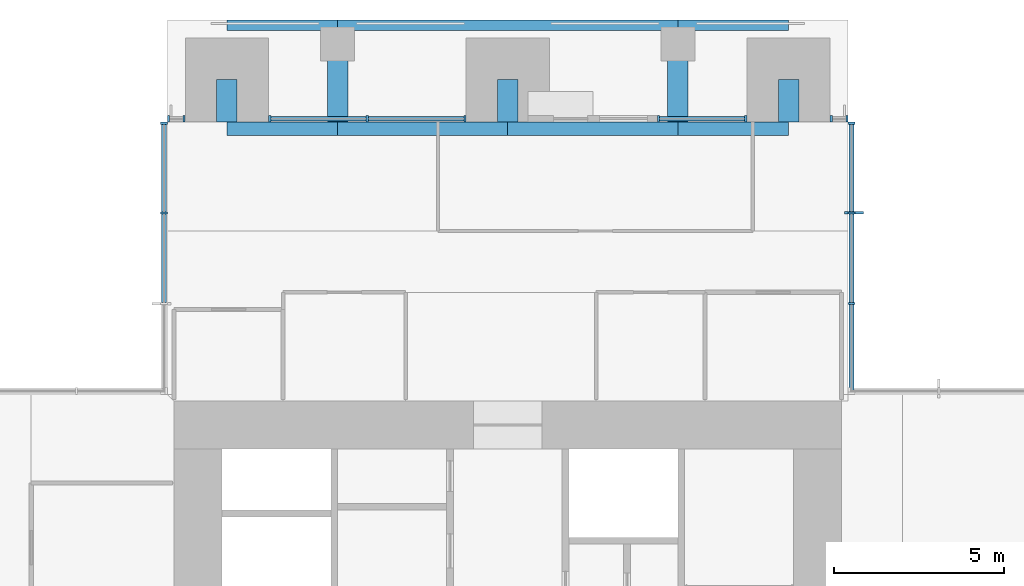
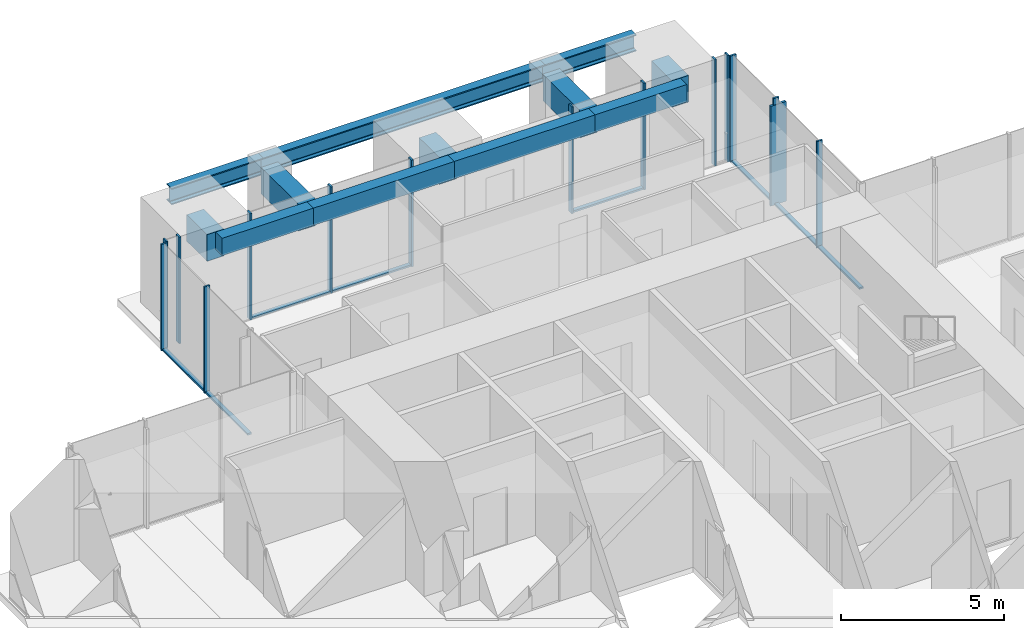
# One storey, part 5 of 17: 23 members, 12 beams, 6 elements without a shape of their own.
"""IFC4 building model written with IfcOpenShell, lengths in metres."""

import ifcopenshell
import ifcopenshell.guid

model = None  # the IFC model being written
_history = None  # IfcOwnerHistory: only IFC2X3 demands one
_inside = {}  # id of a spatial element -> (the spatial element, [elements in it])
_under = {}  # id of a project, library or spatial element -> (it, [spatial elements below it])
_declared = {}  # id of a project -> (the project, [libraries it declares])
_typed = {}  # id of a type object -> (the type object, [elements of that type])
_made_of = {}  # id of a material, layer set ... -> (it, [elements and type objects made of it])


def new_model(schema):
    """Start an empty IFC model of exactly this schema.

    Asked for "IFC4X3", IfcOpenShell would pick the latest addendum, in which some entities
    have other attributes; the version numbers below select the first issue.
    IFC2X3 requires an IfcOwnerHistory on every rooted entity: one is made here for all.
    """
    global model, _history
    if schema == "IFC4X3":
        model = ifcopenshell.file(schema_version=(4, 3, 0, 0))
    else:
        model = ifcopenshell.file(schema=schema)
    _inside.clear()
    _under.clear()
    _declared.clear()
    _typed.clear()
    _made_of.clear()
    _history = None
    if model.schema == "IFC2X3":
        org = make("IfcOrganization", Name="unknown")
        user = make(
            "IfcPersonAndOrganization",
            ThePerson=make("IfcPerson", FamilyName="unknown"),
            TheOrganization=org,
        )
        app = make(
            "IfcApplication",
            ApplicationDeveloper=org,
            Version="unknown",
            ApplicationFullName="unknown",
            ApplicationIdentifier="unknown",
        )
        _history = make(
            "IfcOwnerHistory",
            OwningUser=user,
            OwningApplication=app,
            ChangeAction="ADDED",
            CreationDate=0,
        )
    return model


def make(cls, **values):
    """One entity of the class cls with the attributes given. An attribute that is None is left unset."""
    return model.create_entity(
        cls, **{name: value for name, value in values.items() if value is not None}
    )


def rooted(cls, **values):
    """An entity with a GlobalId (a new one), such as an element, a storey or a relation."""
    return make(cls, GlobalId=ifcopenshell.guid.new(), OwnerHistory=_history, **values)


def si_unit(unit_type, name, prefix=None):
    """IfcSIUnit, for example si_unit("LENGTHUNIT", "METRE", prefix="MILLI")."""
    return make("IfcSIUnit", UnitType=unit_type, Prefix=prefix, Name=name)


def assignment(units):
    """IfcUnitAssignment: the units of a project."""
    return None if units is None else make("IfcUnitAssignment", Units=units)


def point(xyz):
    """IfcCartesianPoint."""
    return None if xyz is None else make("IfcCartesianPoint", Coordinates=xyz)


def direction(xyz):
    """IfcDirection."""
    return None if xyz is None else make("IfcDirection", DirectionRatios=xyz)


def frame(location, z_axis=None, x_axis=None):
    """IfcAxis2Placement3D, a coordinate frame: its origin and axes. An axis left out is left unset."""
    return make(
        "IfcAxis2Placement3D",
        Location=point(location),
        Axis=direction(z_axis),
        RefDirection=direction(x_axis),
    )


def frame_2d(location, x_axis=None):
    """IfcAxis2Placement2D, a coordinate frame in the plane: its origin and x axis."""
    return make(
        "IfcAxis2Placement2D", Location=point(location), RefDirection=direction(x_axis)
    )


def origin():
    """The frame at (0, 0, 0) with its axes left unset."""
    return frame((0.0, 0.0, 0.0))


def origin_2d():
    """The frame at (0, 0) in the plane with its x axis left unset."""
    return frame_2d((0.0, 0.0))


def place(relative_to, where):
    """IfcLocalPlacement: puts the frame where relative to a parent placement (None: the world)."""
    return make(
        "IfcLocalPlacement", PlacementRelTo=relative_to, RelativePlacement=where
    )


def context(
    kind, dimensions, precision=None, world=None, true_north=None, identifier=None
):
    """IfcGeometricRepresentationContext, for example the 3D "Model" context."""
    return make(
        "IfcGeometricRepresentationContext",
        ContextIdentifier=identifier,
        ContextType=kind,
        CoordinateSpaceDimension=dimensions,
        Precision=precision,
        WorldCoordinateSystem=world,
        TrueNorth=true_north,
    )


def subcontext(parent, identifier, kind, view, scale=None):
    """IfcGeometricRepresentationSubContext, for example "Body" below "Model"."""
    return make(
        "IfcGeometricRepresentationSubContext",
        ContextIdentifier=identifier,
        ContextType=kind,
        ParentContext=parent,
        TargetScale=scale,
        TargetView=view,
    )


def project(units=None, contexts=None):
    """IfcProject with its units and contexts."""
    return rooted(
        "IfcProject",
        Name="project",
        RepresentationContexts=contexts,
        UnitsInContext=assignment(units),
    )


def spatial(cls, under=None, at=None, **own):
    """A site, building, storey or space (cls), placed at a placement, below another one or the project."""
    s = rooted(cls, ObjectPlacement=at, **own)
    if under is not None:
        _under.setdefault(under.id(), (under, []))[1].append(s)
    return s


def profile(cls, at=None, kind="AREA", **sizes):
    """A parametric profile (cls). Its sizes go by their IFC names, for example OverallWidth=200.0."""
    return make(cls, ProfileType=kind, Position=at, **sizes)


def rectangle(**sizes):
    """IfcRectangleProfileDef."""
    return profile("IfcRectangleProfileDef", **sizes)


def i_section(**sizes):
    """IfcIShapeProfileDef."""
    return profile("IfcIShapeProfileDef", **sizes)


def extrude(swept, where, along, depth):
    """IfcExtrudedAreaSolid: the profile swept, set in the frame where, extruded along a direction by depth."""
    return make(
        "IfcExtrudedAreaSolid",
        SweptArea=swept,
        Position=where,
        ExtrudedDirection=direction(along),
        Depth=depth,
    )


def shape(context_of_items, identifier, shape_type, items):
    """IfcShapeRepresentation: the items that make up one representation, for example the "Body"."""
    return make(
        "IfcShapeRepresentation",
        ContextOfItems=context_of_items,
        RepresentationIdentifier=identifier,
        RepresentationType=shape_type,
        Items=items,
    )


def material(Name=None, Category=None):
    """IfcMaterial."""
    return make("IfcMaterial", Name=Name, Category=Category)


def material_profile(
    of_material, cross_section, Name=None, Category=None, Priority=None
):
    """IfcMaterialProfile: a cross section and its material."""
    return make(
        "IfcMaterialProfile",
        Name=Name,
        Material=of_material,
        Profile=cross_section,
        Priority=Priority,
        Category=Category,
    )


def profile_set(profiles, Name=None, composite=None):
    """IfcMaterialProfileSet."""
    return make(
        "IfcMaterialProfileSet",
        Name=Name,
        MaterialProfiles=profiles,
        CompositeProfile=composite,
    )


def made_of(thing, what):
    """Note that an element or type object is made of a material, layer set ...; save() writes the relation."""
    if what is not None:
        _made_of.setdefault(what.id(), (what, []))[1].append(thing)
    return thing


def type_object(cls, material=None, **own):
    """A type object (cls), such as IfcWallType, which elements share."""
    return made_of(rooted(cls, **own), material)


def element(
    cls,
    number,
    at=None,
    inside=None,
    cuts=None,
    type_object=None,
    material=None,
    context=None,
    identifier="Body",
    shape_type=None,
    held_by="IfcProductDefinitionShape",
    body=None,
    shapes=None,
    **own,
):
    """One element of the class cls, such as IfcWall. Its Tag is "e" and its number.

    at: its placement. inside: the storey or other place that contains it. cuts: it is an
    opening in that element (IfcRelVoidsElement). A single representation is given by context,
    identifier, shape_type and body (its items); several are given by shapes. held_by: the class
    of the entity that holds the representations. save() writes the other relations.
    """
    e = rooted(cls, Tag="e%d" % number, ObjectPlacement=at, **own)
    if body is not None:
        shapes = [shape(context, identifier, shape_type, body)]
    if shapes is not None:
        e.Representation = make(held_by, Representations=shapes)
    if inside is not None:
        _inside.setdefault(inside.id(), (inside, []))[1].append(e)
    if cuts is not None:
        rooted(
            "IfcRelVoidsElement", RelatingBuildingElement=cuts, RelatedOpeningElement=e
        )
    if type_object is not None:
        _typed.setdefault(type_object.id(), (type_object, []))[1].append(e)
    return made_of(e, material)


def aggregate(whole, parts):
    """IfcRelAggregates: a whole, such as a stair, and the parts it consists of."""
    return rooted("IfcRelAggregates", RelatingObject=whole, RelatedObjects=parts)


def save(model, path):
    """Write the relations noted so far, then the file.

    IfcRelAggregates (storeys below a building ...), IfcRelContainedInSpatialStructure (elements
    in a storey), IfcRelDefinesByType, IfcRelAssociatesMaterial and IfcRelDeclares: one each for
    every whole, place, type object, material and project.
    """
    for whole, parts in _under.values():
        aggregate(whole, parts)
    for where, things in _inside.values():
        rooted(
            "IfcRelContainedInSpatialStructure",
            RelatedElements=things,
            RelatingStructure=where,
        )
    for kind, things in _typed.values():
        rooted("IfcRelDefinesByType", RelatedObjects=things, RelatingType=kind)
    for what, things in _made_of.values():
        rooted("IfcRelAssociatesMaterial", RelatedObjects=things, RelatingMaterial=what)
    for by, libraries in _declared.values():
        rooted("IfcRelDeclares", RelatingContext=by, RelatedDefinitions=libraries)
    model.write(path)


model = new_model("IFC4")

# Units and contexts
model_context = context("Model", 3, precision=1e-05, world=origin(), true_north=direction((0.0, 1.0)))
body_context = subcontext(model_context, "Body", "Model", "MODEL_VIEW")
ifc_project = project(units=[si_unit("LENGTHUNIT", "METRE"), si_unit("AREAUNIT", "SQUARE_METRE"), si_unit("VOLUMEUNIT", "CUBIC_METRE"), si_unit("PLANEANGLEUNIT", "RADIAN"), si_unit("MASSUNIT", "GRAM", prefix="KILO")], contexts=[model_context])

# Site, building, storey
site_placement = place(None, origin())
site = spatial("IfcSite", under=ifc_project, at=site_placement, CompositionType="ELEMENT")
building_placement = place(site_placement, origin())
building = spatial("IfcBuilding", under=site, at=building_placement, Name="Svetlomir Tower", CompositionType="ELEMENT")
storey_placement = place(building_placement, frame((0.0, 0.0, 186.5)))
storey = spatial("IfcBuildingStorey", under=building, at=storey_placement, Name="L44", CompositionType="ELEMENT", Elevation=186.5)

# Curtain wall, members
ifc_material_1 = material(Name="Bronze anodised aluminium curtain wall", Category="aluminium")
curtain_wall_type = type_object("IfcCurtainWallType", Name="CURTAIN WALL CW1 TOWER OFFICE", PredefinedType="NOTDEFINED", material=ifc_material_1)
curtain_wall_1_placement = place(storey_placement, origin())
curtain_wall_1 = element("IfcCurtainWall", 1, at=curtain_wall_1_placement, inside=storey, type_object=curtain_wall_type, Name="Curtain wall CW1 L44", PredefinedType="NOTDEFINED")
ifc_material_2 = material(Name="Bronze anodised aluminium", Category="aluminium")
ifc_material_profile_1 = material_profile(ifc_material_2, rectangle(XDim=0.080078125, YDim=0.550048828125, at=origin_2d()), Name="FIN 80x550")
ifc_profile_set_1 = profile_set([ifc_material_profile_1], Name="Bronze anodised aluminium 6063-T6")
member_type_1 = type_object("IfcMemberType", Name="BRONZE FIN 80x550", PredefinedType="USERDEFINED", material=ifc_profile_set_1)
member_1_placement = place(storey_placement, frame((31.175048828125, 36.333251953125, 0.0), z_axis=(0.0, 0.0, 1.0), x_axis=(0.0, 1.0, 0.0)))
member_1 = element("IfcMember", 2, at=member_1_placement, type_object=member_type_1, Name="Bronze fin L44", ObjectType="FIN", PredefinedType="USERDEFINED", context=body_context, shape_type="SweptSolid", body=[
    extrude(rectangle(XDim=0.080078125, YDim=0.550048828125, at=origin_2d()), origin(), (0.0, 0.0, 1.0), 3.75),
])
ifc_material_3 = material(Name="Bronze anodised aluminium", Category="aluminium")
ifc_material_profile_2 = material_profile(ifc_material_3, rectangle(XDim=0.06494140625, YDim=0.199951171875, at=origin_2d()), Name="AL 65x200")
ifc_profile_set_2 = profile_set([ifc_material_profile_2], Name="Bronze anodised aluminium 6063-T6")
member_type_2 = type_object("IfcMemberType", Name="CW1 MULLION 65x200", PredefinedType="MULLION", material=ifc_profile_set_2)
member_2_placement = place(storey_placement, frame((31.10009765625, 33.666748046875, 0.0), z_axis=(0.0, 0.0, 1.0), x_axis=(0.0, 1.0, 0.0)))
member_2 = element("IfcMember", 3, at=member_2_placement, type_object=member_type_2, Name="CW1 mullion 2", PredefinedType="MULLION", context=body_context, shape_type="SweptSolid", body=[
    extrude(rectangle(XDim=0.06494140625, YDim=0.199951171875, at=origin_2d()), origin(), (0.0, 0.0, 1.0), 4.0),
])
member_3_placement = place(storey_placement, frame((31.10009765625, 36.333251953125, 0.0), z_axis=(0.0, 0.0, 1.0), x_axis=(0.0, 1.0, 0.0)))
member_3 = element("IfcMember", 4, at=member_3_placement, type_object=member_type_2, Name="CW1 mullion 3", PredefinedType="MULLION", context=body_context, shape_type="SweptSolid", body=[
    extrude(rectangle(XDim=0.06494140625, YDim=0.199951171875, at=origin_2d()), origin(), (0.0, 0.0, 1.0), 4.0),
])
member_4_placement = place(storey_placement, frame((31.10009765625, 38.967529296875, 0.0), z_axis=(0.0, 0.0, 1.0), x_axis=(0.0, 1.0, 0.0)))
member_4 = element("IfcMember", 5, at=member_4_placement, type_object=member_type_2, Name="CW1 mullion 4", PredefinedType="MULLION", context=body_context, shape_type="SweptSolid", body=[
    extrude(rectangle(XDim=0.06494140625, YDim=0.199951171875, at=origin_2d()), origin(), (0.0, 0.0, 1.0), 4.0),
])

curtain_wall_2_placement = place(storey_placement, origin())
curtain_wall_2 = element("IfcCurtainWall", 6, at=curtain_wall_2_placement, inside=storey, type_object=curtain_wall_type, Name="Curtain wall CW1 L44", PredefinedType="NOTDEFINED")
member_5_placement = place(storey_placement, frame((30.967529296875, 39.10009765625, 0.0), z_axis=(0.0, 0.0, 1.0), x_axis=(-1.0, 0.0, 0.0)))
member_5 = element("IfcMember", 7, at=member_5_placement, type_object=member_type_2, Name="CW1 mullion 1", PredefinedType="MULLION", context=body_context, shape_type="SweptSolid", body=[
    extrude(rectangle(XDim=0.06494140625, YDim=0.199951171875, at=origin_2d()), origin(), (0.0, 0.0, 1.0), 4.0),
])
member_6_placement = place(storey_placement, frame((30.507568359375, 39.10009765625, 0.0), z_axis=(0.0, 0.0, 1.0), x_axis=(-1.0, 0.0, 0.0)))
member_6 = element("IfcMember", 8, at=member_6_placement, type_object=member_type_2, Name="CW1 mullion 2", PredefinedType="MULLION", context=body_context, shape_type="SweptSolid", body=[
    extrude(rectangle(XDim=0.06494140625, YDim=0.199951171875, at=origin_2d()), origin(), (0.0, 0.0, 1.0), 4.0),
])
aggregate(curtain_wall_2, [member_5, member_6])

curtain_wall_3_placement = place(storey_placement, origin())
curtain_wall_3 = element("IfcCurtainWall", 9, at=curtain_wall_3_placement, inside=storey, type_object=curtain_wall_type, Name="Curtain wall CW1 L44", PredefinedType="NOTDEFINED")
member_7_placement = place(storey_placement, frame((27.992431640625, 39.10009765625, 0.0), z_axis=(0.0, 0.0, 1.0), x_axis=(-1.0, 0.0, 0.0)))
member_7 = element("IfcMember", 10, at=member_7_placement, type_object=member_type_2, Name="CW1 mullion 1", PredefinedType="MULLION", context=body_context, shape_type="SweptSolid", body=[
    extrude(rectangle(XDim=0.06494140625, YDim=0.199951171875, at=origin_2d()), origin(), (0.0, 0.0, 1.0), 4.0),
])
member_8_placement = place(storey_placement, frame((25.4326171875, 39.10009765625, 0.0), z_axis=(0.0, 0.0, 1.0), x_axis=(-1.0, 0.0, 0.0)))
member_8 = element("IfcMember", 11, at=member_8_placement, type_object=member_type_2, Name="CW1 mullion 2", PredefinedType="MULLION", context=body_context, shape_type="SweptSolid", body=[
    extrude(rectangle(XDim=0.06494140625, YDim=0.199951171875, at=origin_2d()), origin(), (0.0, 0.0, 1.0), 4.0),
])

curtain_wall_4_placement = place(storey_placement, origin())
curtain_wall_4 = element("IfcCurtainWall", 12, at=curtain_wall_4_placement, inside=storey, type_object=curtain_wall_type, Name="Curtain wall CW1 L44", PredefinedType="NOTDEFINED")
member_9_placement = place(storey_placement, frame((19.742431640625, 39.10009765625, 0.0), z_axis=(0.0, 0.0, 1.0), x_axis=(-1.0, 0.0, 0.0)))
member_9 = element("IfcMember", 13, at=member_9_placement, type_object=member_type_2, Name="CW1 mullion 1", PredefinedType="MULLION", context=body_context, shape_type="SweptSolid", body=[
    extrude(rectangle(XDim=0.06494140625, YDim=0.199951171875, at=origin_2d()), origin(), (0.0, 0.0, 1.0), 4.0),
])
member_10_placement = place(storey_placement, frame((16.875, 39.10009765625, 0.0), z_axis=(0.0, 0.0, 1.0), x_axis=(-1.0, 0.0, 0.0)))
member_10 = element("IfcMember", 14, at=member_10_placement, type_object=member_type_2, Name="CW1 mullion 2", PredefinedType="MULLION", context=body_context, shape_type="SweptSolid", body=[
    extrude(rectangle(XDim=0.06494140625, YDim=0.199951171875, at=origin_2d()), origin(), (0.0, 0.0, 1.0), 4.0),
])
member_11_placement = place(storey_placement, frame((14.007568359375, 39.10009765625, 0.0), z_axis=(0.0, 0.0, 1.0), x_axis=(-1.0, 0.0, 0.0)))
member_11 = element("IfcMember", 15, at=member_11_placement, type_object=member_type_2, Name="CW1 mullion 3", PredefinedType="MULLION", context=body_context, shape_type="SweptSolid", body=[
    extrude(rectangle(XDim=0.06494140625, YDim=0.199951171875, at=origin_2d()), origin(), (0.0, 0.0, 1.0), 4.0),
])

curtain_wall_5_placement = place(storey_placement, origin())
curtain_wall_5 = element("IfcCurtainWall", 16, at=curtain_wall_5_placement, inside=storey, type_object=curtain_wall_type, Name="Curtain wall CW1 L44", PredefinedType="NOTDEFINED")
member_12_placement = place(storey_placement, frame((11.492431640625, 39.10009765625, 0.0), z_axis=(0.0, 0.0, 1.0), x_axis=(-1.0, 0.0, 0.0)))
member_12 = element("IfcMember", 17, at=member_12_placement, type_object=member_type_2, Name="CW1 mullion 1", PredefinedType="MULLION", context=body_context, shape_type="SweptSolid", body=[
    extrude(rectangle(XDim=0.06494140625, YDim=0.199951171875, at=origin_2d()), origin(), (0.0, 0.0, 1.0), 4.0),
])
member_13_placement = place(storey_placement, frame((11.032470703125, 39.10009765625, 0.0), z_axis=(0.0, 0.0, 1.0), x_axis=(-1.0, 0.0, 0.0)))
member_13 = element("IfcMember", 18, at=member_13_placement, type_object=member_type_2, Name="CW1 mullion 2", PredefinedType="MULLION", context=body_context, shape_type="SweptSolid", body=[
    extrude(rectangle(XDim=0.06494140625, YDim=0.199951171875, at=origin_2d()), origin(), (0.0, 0.0, 1.0), 4.0),
])
aggregate(curtain_wall_5, [member_12, member_13])

curtain_wall_6_placement = place(storey_placement, origin())
curtain_wall_6 = element("IfcCurtainWall", 19, at=curtain_wall_6_placement, inside=storey, type_object=curtain_wall_type, Name="Curtain wall CW1 L44", PredefinedType="NOTDEFINED")
member_14_placement = place(storey_placement, frame((10.89990234375, 38.967529296875, 0.0), z_axis=(0.0, 0.0, 1.0), x_axis=(0.0, -1.0, 0.0)))
member_14 = element("IfcMember", 20, at=member_14_placement, type_object=member_type_2, Name="CW1 mullion 1", PredefinedType="MULLION", context=body_context, shape_type="SweptSolid", body=[
    extrude(rectangle(XDim=0.06494140625, YDim=0.199951171875, at=origin_2d()), origin(), (0.0, 0.0, 1.0), 4.0),
])
member_15_placement = place(storey_placement, frame((10.89990234375, 36.333251953125, 0.0), z_axis=(0.0, 0.0, 1.0), x_axis=(0.0, -1.0, 0.0)))
member_15 = element("IfcMember", 21, at=member_15_placement, type_object=member_type_2, Name="CW1 mullion 2", PredefinedType="MULLION", context=body_context, shape_type="SweptSolid", body=[
    extrude(rectangle(XDim=0.06494140625, YDim=0.199951171875, at=origin_2d()), origin(), (0.0, 0.0, 1.0), 4.0),
])

# Member
ifc_material_4 = material(Name="Bronze anodised aluminium", Category="aluminium")
ifc_material_profile_3 = material_profile(ifc_material_4, rectangle(XDim=0.139892578125, YDim=0.06494140625, at=origin_2d()), Name="AL 140x65")
ifc_profile_set_3 = profile_set([ifc_material_profile_3], Name="Bronze anodised aluminium 6063-T6")
member_type_3 = type_object("IfcMemberType", Name="CW1 TRANSOM 65x140", PredefinedType="USERDEFINED", material=ifc_profile_set_3)
member_16_placement = place(storey_placement, frame((31.10009765625, 31.06494140625, 0.032470703125), z_axis=(0.0, 1.0, 0.0), x_axis=(-1.0, 0.0, 0.0)))
member_16 = element("IfcMember", 22, at=member_16_placement, type_object=member_type_3, Name="CW1 transom 1.1", ObjectType="TRANSOM", PredefinedType="USERDEFINED", context=body_context, shape_type="SweptSolid", body=[
    extrude(rectangle(XDim=0.139892578125, YDim=0.06494140625, at=origin_2d()), origin(), (0.0, 0.0, 1.0), 2.5693359375),
])

member_17_placement = place(storey_placement, frame((31.10009765625, 33.69921875, 0.032470703125), z_axis=(0.0, 1.0, 0.0), x_axis=(-1.0, 0.0, 0.0)))
member_17 = element("IfcMember", 23, at=member_17_placement, type_object=member_type_3, Name="CW1 transom 2.1", ObjectType="TRANSOM", PredefinedType="USERDEFINED", context=body_context, shape_type="SweptSolid", body=[
    extrude(rectangle(XDim=0.139892578125, YDim=0.06494140625, at=origin_2d()), origin(), (0.0, 0.0, 1.0), 2.6015625),
])

member_18_placement = place(storey_placement, frame((31.10009765625, 36.36572265625, 0.032470703125), z_axis=(0.0, 1.0, 0.0), x_axis=(-1.0, 0.0, 0.0)))
member_18 = element("IfcMember", 24, at=member_18_placement, type_object=member_type_3, Name="CW1 transom 3.1", ObjectType="TRANSOM", PredefinedType="USERDEFINED", context=body_context, shape_type="SweptSolid", body=[
    extrude(rectangle(XDim=0.139892578125, YDim=0.06494140625, at=origin_2d()), origin(), (0.0, 0.0, 1.0), 2.5693359375),
])

aggregate(curtain_wall_1, [member_2, member_3, member_4, member_16, member_17, member_18, member_1])

member_19_placement = place(storey_placement, frame((27.9599609375, 39.10009765625, 0.032470703125), z_axis=(-1.0, 0.0, 0.0), x_axis=(0.0, -1.0, 0.0)))
member_19 = element("IfcMember", 25, at=member_19_placement, type_object=member_type_3, Name="CW1 transom 1.1", ObjectType="TRANSOM", PredefinedType="USERDEFINED", context=body_context, shape_type="SweptSolid", body=[
    extrude(rectangle(XDim=0.139892578125, YDim=0.06494140625, at=origin_2d()), origin(), (0.0, 0.0, 1.0), 2.494873046875),
])

aggregate(curtain_wall_3, [member_7, member_8, member_19])

member_20_placement = place(storey_placement, frame((19.7099609375, 39.10009765625, 0.032470703125), z_axis=(-1.0, 0.0, 0.0), x_axis=(0.0, -1.0, 0.0)))
member_20 = element("IfcMember", 26, at=member_20_placement, type_object=member_type_3, Name="CW1 transom 1.1", ObjectType="TRANSOM", PredefinedType="USERDEFINED", context=body_context, shape_type="SweptSolid", body=[
    extrude(rectangle(XDim=0.139892578125, YDim=0.06494140625, at=origin_2d()), origin(), (0.0, 0.0, 1.0), 2.802490234375),
])

member_21_placement = place(storey_placement, frame((16.842529296875, 39.10009765625, 0.032470703125), z_axis=(-1.0, 0.0, 0.0), x_axis=(0.0, -1.0, 0.0)))
member_21 = element("IfcMember", 27, at=member_21_placement, type_object=member_type_3, Name="CW1 transom 2.1", ObjectType="TRANSOM", PredefinedType="USERDEFINED", context=body_context, shape_type="SweptSolid", body=[
    extrude(rectangle(XDim=0.139892578125, YDim=0.06494140625, at=origin_2d()), origin(), (0.0, 0.0, 1.0), 2.802490234375),
])

aggregate(curtain_wall_4, [member_9, member_10, member_11, member_20, member_21])

member_22_placement = place(storey_placement, frame((10.89990234375, 38.93505859375, 0.032470703125), z_axis=(0.0, -1.0, 0.0), x_axis=(1.0, 0.0, 0.0)))
member_22 = element("IfcMember", 28, at=member_22_placement, type_object=member_type_3, Name="CW1 transom 1.1", ObjectType="TRANSOM", PredefinedType="USERDEFINED", context=body_context, shape_type="SweptSolid", body=[
    extrude(rectangle(XDim=0.139892578125, YDim=0.06494140625, at=origin_2d()), origin(), (0.0, 0.0, 1.0), 2.5693359375),
])

member_23_placement = place(storey_placement, frame((10.89990234375, 36.30078125, 0.032470703125), z_axis=(0.0, -1.0, 0.0), x_axis=(1.0, 0.0, 0.0)))
member_23 = element("IfcMember", 29, at=member_23_placement, type_object=member_type_3, Name="CW1 transom 2.1", ObjectType="TRANSOM", PredefinedType="USERDEFINED", context=body_context, shape_type="SweptSolid", body=[
    extrude(rectangle(XDim=0.139892578125, YDim=0.06494140625, at=origin_2d()), origin(), (0.0, 0.0, 1.0), 2.6015625),
])

aggregate(curtain_wall_6, [member_14, member_15, member_22, member_23])

# Beams
ifc_material_5 = material(Name="Steel S355", Category="steel")
ifc_material_profile_4 = material_profile(ifc_material_5, i_section(OverallWidth=0.304931640625, OverallDepth=0.6201171875, WebThickness=0.02099609375, FlangeThickness=0.0400390625, FilletRadius=0.027099609375, at=origin_2d()), Name="HEM 600")
ifc_profile_set_4 = profile_set([ifc_material_profile_4], Name="Steel S355")
beam_type_1 = type_object("IfcBeamType", Name="EDGE BEAM HEM 600", PredefinedType="SPANDREL", material=ifc_profile_set_4)
beam_1_placement = place(storey_placement, frame((12.75, 41.847412109375, 3.43994140625), z_axis=(1.0, 0.0, 0.0), x_axis=(0.0, 1.0, 0.0)))
element("IfcBeam", 30, at=beam_1_placement, inside=storey, type_object=beam_type_1, Name="Edge beam 11/42 to 16/42 under L45", PredefinedType="SPANDREL", context=body_context, shape_type="SweptSolid", body=[
    extrude(i_section(OverallWidth=0.304931640625, OverallDepth=0.6201171875, WebThickness=0.02099609375, FlangeThickness=0.0400390625, FilletRadius=0.027099609375, at=origin_2d()), origin(), (0.0, 0.0, 1.0), 3.25),
])
beam_2_placement = place(storey_placement, frame((16.0, 41.847412109375, 3.43994140625), z_axis=(1.0, 0.0, 0.0), x_axis=(0.0, 1.0, 0.0)))
element("IfcBeam", 31, at=beam_2_placement, inside=storey, type_object=beam_type_1, Name="Edge beam 16/42 to 26/42 under L45", PredefinedType="SPANDREL", context=body_context, shape_type="SweptSolid", body=[
    extrude(i_section(OverallWidth=0.304931640625, OverallDepth=0.6201171875, WebThickness=0.02099609375, FlangeThickness=0.0400390625, FilletRadius=0.027099609375, at=origin_2d()), origin(), (0.0, 0.0, 1.0), 10.0),
])
beam_3_placement = place(storey_placement, frame((26.0, 41.847412109375, 3.43994140625), z_axis=(1.0, 0.0, 0.0), x_axis=(0.0, 1.0, 0.0)))
element("IfcBeam", 32, at=beam_3_placement, inside=storey, type_object=beam_type_1, Name="Edge beam 26/42 to 31/42 under L45", PredefinedType="SPANDREL", context=body_context, shape_type="SweptSolid", body=[
    extrude(i_section(OverallWidth=0.304931640625, OverallDepth=0.6201171875, WebThickness=0.02099609375, FlangeThickness=0.0400390625, FilletRadius=0.027099609375, at=origin_2d()), origin(), (0.0, 0.0, 1.0), 3.25),
])
ifc_material_6 = material(Name="Concrete C60/75", Category="concrete")
ifc_material_profile_5 = material_profile(ifc_material_6, rectangle(XDim=0.39990234375, YDim=0.64990234375, at=origin_2d()), Name="RC 400x650")
ifc_profile_set_5 = profile_set([ifc_material_profile_5], Name="Concrete C60/75")
beam_type_2 = type_object("IfcBeamType", Name="FACADE EDGE BEAM RC 400x650", PredefinedType="BEAM", material=ifc_profile_set_5)
beam_4_placement = place(storey_placement, frame((12.75, 38.800048828125, 3.425048828125), z_axis=(1.0, 0.0, 0.0), x_axis=(0.0, 1.0, 0.0)))
element("IfcBeam", 33, at=beam_4_placement, inside=storey, type_object=beam_type_2, Name="Facade edge beam N 11 to 16 under L45", PredefinedType="BEAM", context=body_context, shape_type="SweptSolid", body=[
    extrude(rectangle(XDim=0.39990234375, YDim=0.64990234375, at=origin_2d()), origin(), (0.0, 0.0, 1.0), 3.25),
])
for number, where, z_axis, x_axis, name in (
    (34, (16.0, 38.800048828125, 3.425048828125), (1.0, 0.0, 0.0), (0.0, 1.0, 0.0), "Facade edge beam N 16 to 21 under L45"),
    (35, (21.0, 38.800048828125, 3.425048828125), (1.0, 0.0, 0.0), (0.0, 1.0, 0.0), "Facade edge beam N 21 to 26 under L45"),
):
    element("IfcBeam", number, at=place(storey_placement, frame(where, z_axis=z_axis, x_axis=x_axis)), inside=storey, type_object=beam_type_2, Name=name, PredefinedType="BEAM", context=body_context, shape_type="SweptSolid", body=[
        extrude(rectangle(XDim=0.39990234375, YDim=0.64990234375, at=origin_2d()), origin(), (0.0, 0.0, 1.0), 5.0),
    ])
beam_5_placement = place(storey_placement, frame((26.0, 38.800048828125, 3.425048828125), z_axis=(1.0, 0.0, 0.0), x_axis=(0.0, 1.0, 0.0)))
element("IfcBeam", 36, at=beam_5_placement, inside=storey, type_object=beam_type_2, Name="Facade edge beam N 26 to 31 under L45", PredefinedType="BEAM", context=body_context, shape_type="SweptSolid", body=[
    extrude(rectangle(XDim=0.39990234375, YDim=0.64990234375, at=origin_2d()), origin(), (0.0, 0.0, 1.0), 3.25),
])
ifc_material_7 = material(Name="Concrete C60/75", Category="concrete")
ifc_material_profile_6 = material_profile(ifc_material_7, rectangle(XDim=0.60009765625, YDim=1.0, at=origin_2d()), Name="RC 600x1000")
ifc_profile_set_6 = profile_set([ifc_material_profile_6], Name="Concrete C60/75")
beam_type_3 = type_object("IfcBeamType", Name="LOGGIA LINK BEAM RC 600x1000", PredefinedType="BEAM", material=ifc_profile_set_6)
beam_6_placement = place(storey_placement, frame((12.75, 40.25, 3.25), z_axis=(0.0, -1.0, 0.0), x_axis=(1.0, 0.0, 0.0)))
element("IfcBeam", 37, at=beam_6_placement, inside=storey, type_object=beam_type_3, Name="Loggia link beam N 11 under L45", PredefinedType="BEAM", context=body_context, shape_type="SweptSolid", body=[
    extrude(rectangle(XDim=0.60009765625, YDim=1.0, at=origin_2d()), origin(), (0.0, 0.0, 1.0), 1.25),
])
beam_7_placement = place(storey_placement, frame((16.0, 41.300048828125, 3.25), z_axis=(0.0, -1.0, 0.0), x_axis=(1.0, 0.0, 0.0)))
element("IfcBeam", 38, at=beam_7_placement, inside=storey, type_object=beam_type_3, Name="Loggia link beam N 16 under L45", PredefinedType="BEAM", context=body_context, shape_type="SweptSolid", body=[
    extrude(rectangle(XDim=0.60009765625, YDim=1.0, at=origin_2d()), origin(), (0.0, 0.0, 1.0), 2.300048828125),
])
beam_8_placement = place(storey_placement, frame((21.0, 40.25, 3.25), z_axis=(0.0, -1.0, 0.0), x_axis=(1.0, 0.0, 0.0)))
element("IfcBeam", 39, at=beam_8_placement, inside=storey, type_object=beam_type_3, Name="Loggia link beam N 21 under L45", PredefinedType="BEAM", context=body_context, shape_type="SweptSolid", body=[
    extrude(rectangle(XDim=0.60009765625, YDim=1.0, at=origin_2d()), origin(), (0.0, 0.0, 1.0), 1.25),
])
beam_9_placement = place(storey_placement, frame((26.0, 41.300048828125, 3.25), z_axis=(0.0, -1.0, 0.0), x_axis=(1.0, 0.0, 0.0)))
element("IfcBeam", 40, at=beam_9_placement, inside=storey, type_object=beam_type_3, Name="Loggia link beam N 26 under L45", PredefinedType="BEAM", context=body_context, shape_type="SweptSolid", body=[
    extrude(rectangle(XDim=0.60009765625, YDim=1.0, at=origin_2d()), origin(), (0.0, 0.0, 1.0), 2.300048828125),
])
beam_10_placement = place(storey_placement, frame((29.25, 40.25, 3.25), z_axis=(0.0, -1.0, 0.0), x_axis=(1.0, 0.0, 0.0)))
element("IfcBeam", 41, at=beam_10_placement, inside=storey, type_object=beam_type_3, Name="Loggia link beam N 31 under L45", PredefinedType="BEAM", context=body_context, shape_type="SweptSolid", body=[
    extrude(rectangle(XDim=0.60009765625, YDim=1.0, at=origin_2d()), origin(), (0.0, 0.0, 1.0), 1.25),
])

save(model, "model.ifc")
